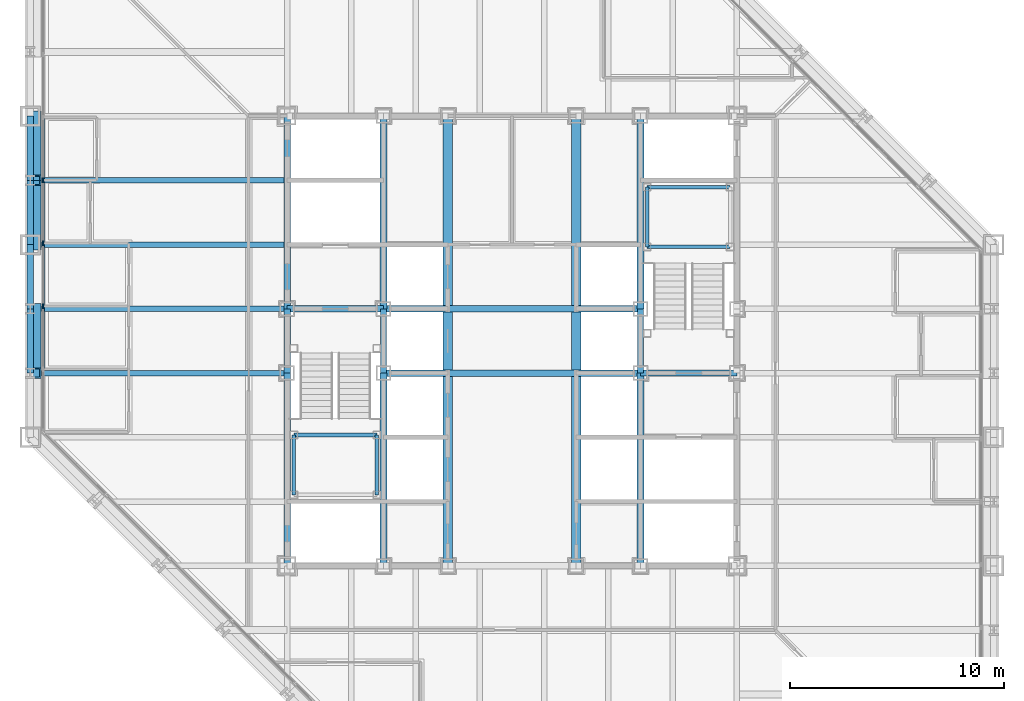
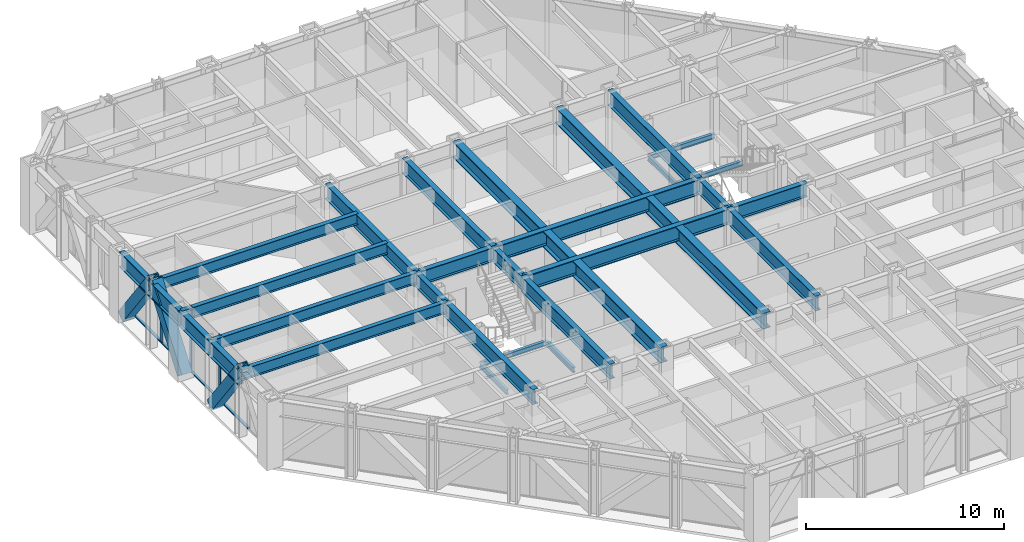
# One storey, part 5 of 17: 33 beams, 10 members, 1 element without a shape of its own.
"""IFC4 building model written with IfcOpenShell, lengths in metres."""

import ifcopenshell
import ifcopenshell.guid

model = None  # the IFC model being written
_history = None  # IfcOwnerHistory: only IFC2X3 demands one
_inside = {}  # id of a spatial element -> (the spatial element, [elements in it])
_under = {}  # id of a project, library or spatial element -> (it, [spatial elements below it])
_declared = {}  # id of a project -> (the project, [libraries it declares])
_typed = {}  # id of a type object -> (the type object, [elements of that type])
_made_of = {}  # id of a material, layer set ... -> (it, [elements and type objects made of it])


def new_model(schema):
    """Start an empty IFC model of exactly this schema.

    Asked for "IFC4X3", IfcOpenShell would pick the latest addendum, in which some entities
    have other attributes; the version numbers below select the first issue.
    IFC2X3 requires an IfcOwnerHistory on every rooted entity: one is made here for all.
    """
    global model, _history
    if schema == "IFC4X3":
        model = ifcopenshell.file(schema_version=(4, 3, 0, 0))
    else:
        model = ifcopenshell.file(schema=schema)
    _inside.clear()
    _under.clear()
    _declared.clear()
    _typed.clear()
    _made_of.clear()
    _history = None
    if model.schema == "IFC2X3":
        org = make("IfcOrganization", Name="unknown")
        user = make(
            "IfcPersonAndOrganization",
            ThePerson=make("IfcPerson", FamilyName="unknown"),
            TheOrganization=org,
        )
        app = make(
            "IfcApplication",
            ApplicationDeveloper=org,
            Version="unknown",
            ApplicationFullName="unknown",
            ApplicationIdentifier="unknown",
        )
        _history = make(
            "IfcOwnerHistory",
            OwningUser=user,
            OwningApplication=app,
            ChangeAction="ADDED",
            CreationDate=0,
        )
    return model


def make(cls, **values):
    """One entity of the class cls with the attributes given. An attribute that is None is left unset."""
    return model.create_entity(
        cls, **{name: value for name, value in values.items() if value is not None}
    )


def rooted(cls, **values):
    """An entity with a GlobalId (a new one), such as an element, a storey or a relation."""
    return make(cls, GlobalId=ifcopenshell.guid.new(), OwnerHistory=_history, **values)


def si_unit(unit_type, name, prefix=None):
    """IfcSIUnit, for example si_unit("LENGTHUNIT", "METRE", prefix="MILLI")."""
    return make("IfcSIUnit", UnitType=unit_type, Prefix=prefix, Name=name)


def assignment(units):
    """IfcUnitAssignment: the units of a project."""
    return None if units is None else make("IfcUnitAssignment", Units=units)


def point(xyz):
    """IfcCartesianPoint."""
    return None if xyz is None else make("IfcCartesianPoint", Coordinates=xyz)


def direction(xyz):
    """IfcDirection."""
    return None if xyz is None else make("IfcDirection", DirectionRatios=xyz)


def frame(location, z_axis=None, x_axis=None):
    """IfcAxis2Placement3D, a coordinate frame: its origin and axes. An axis left out is left unset."""
    return make(
        "IfcAxis2Placement3D",
        Location=point(location),
        Axis=direction(z_axis),
        RefDirection=direction(x_axis),
    )


def frame_2d(location, x_axis=None):
    """IfcAxis2Placement2D, a coordinate frame in the plane: its origin and x axis."""
    return make(
        "IfcAxis2Placement2D", Location=point(location), RefDirection=direction(x_axis)
    )


def origin():
    """The frame at (0, 0, 0) with its axes left unset."""
    return frame((0.0, 0.0, 0.0))


def origin_2d():
    """The frame at (0, 0) in the plane with its x axis left unset."""
    return frame_2d((0.0, 0.0))


def place(relative_to, where):
    """IfcLocalPlacement: puts the frame where relative to a parent placement (None: the world)."""
    return make(
        "IfcLocalPlacement", PlacementRelTo=relative_to, RelativePlacement=where
    )


def context(
    kind, dimensions, precision=None, world=None, true_north=None, identifier=None
):
    """IfcGeometricRepresentationContext, for example the 3D "Model" context."""
    return make(
        "IfcGeometricRepresentationContext",
        ContextIdentifier=identifier,
        ContextType=kind,
        CoordinateSpaceDimension=dimensions,
        Precision=precision,
        WorldCoordinateSystem=world,
        TrueNorth=true_north,
    )


def subcontext(parent, identifier, kind, view, scale=None):
    """IfcGeometricRepresentationSubContext, for example "Body" below "Model"."""
    return make(
        "IfcGeometricRepresentationSubContext",
        ContextIdentifier=identifier,
        ContextType=kind,
        ParentContext=parent,
        TargetScale=scale,
        TargetView=view,
    )


def project(units=None, contexts=None):
    """IfcProject with its units and contexts."""
    return rooted(
        "IfcProject",
        Name="project",
        RepresentationContexts=contexts,
        UnitsInContext=assignment(units),
    )


def spatial(cls, under=None, at=None, **own):
    """A site, building, storey or space (cls), placed at a placement, below another one or the project."""
    s = rooted(cls, ObjectPlacement=at, **own)
    if under is not None:
        _under.setdefault(under.id(), (under, []))[1].append(s)
    return s


def profile(cls, at=None, kind="AREA", **sizes):
    """A parametric profile (cls). Its sizes go by their IFC names, for example OverallWidth=200.0."""
    return make(cls, ProfileType=kind, Position=at, **sizes)


def rectangle(**sizes):
    """IfcRectangleProfileDef."""
    return profile("IfcRectangleProfileDef", **sizes)


def hollow_rectangle(**sizes):
    """IfcRectangleHollowProfileDef."""
    return profile("IfcRectangleHollowProfileDef", **sizes)


def i_section(**sizes):
    """IfcIShapeProfileDef."""
    return profile("IfcIShapeProfileDef", **sizes)


def extrude(swept, where, along, depth):
    """IfcExtrudedAreaSolid: the profile swept, set in the frame where, extruded along a direction by depth."""
    return make(
        "IfcExtrudedAreaSolid",
        SweptArea=swept,
        Position=where,
        ExtrudedDirection=direction(along),
        Depth=depth,
    )


def shape(context_of_items, identifier, shape_type, items):
    """IfcShapeRepresentation: the items that make up one representation, for example the "Body"."""
    return make(
        "IfcShapeRepresentation",
        ContextOfItems=context_of_items,
        RepresentationIdentifier=identifier,
        RepresentationType=shape_type,
        Items=items,
    )


def material(Name=None, Category=None):
    """IfcMaterial."""
    return make("IfcMaterial", Name=Name, Category=Category)


def layer(
    of_material, thickness, ventilated=None, Name=None, Category=None, Priority=None
):
    """IfcMaterialLayer: one layer of a wall or slab, of a material (None: an air gap)."""
    return make(
        "IfcMaterialLayer",
        Material=of_material,
        LayerThickness=thickness,
        IsVentilated=ventilated,
        Name=Name,
        Category=Category,
        Priority=Priority,
    )


def layer_set(layers, Name=None):
    """IfcMaterialLayerSet."""
    return make("IfcMaterialLayerSet", MaterialLayers=layers, LayerSetName=Name)


def material_profile(
    of_material, cross_section, Name=None, Category=None, Priority=None
):
    """IfcMaterialProfile: a cross section and its material."""
    return make(
        "IfcMaterialProfile",
        Name=Name,
        Material=of_material,
        Profile=cross_section,
        Priority=Priority,
        Category=Category,
    )


def profile_set(profiles, Name=None, composite=None):
    """IfcMaterialProfileSet."""
    return make(
        "IfcMaterialProfileSet",
        Name=Name,
        MaterialProfiles=profiles,
        CompositeProfile=composite,
    )


def made_of(thing, what):
    """Note that an element or type object is made of a material, layer set ...; save() writes the relation."""
    if what is not None:
        _made_of.setdefault(what.id(), (what, []))[1].append(thing)
    return thing


def type_object(cls, material=None, **own):
    """A type object (cls), such as IfcWallType, which elements share."""
    return made_of(rooted(cls, **own), material)


def element(
    cls,
    number,
    at=None,
    inside=None,
    cuts=None,
    type_object=None,
    material=None,
    context=None,
    identifier="Body",
    shape_type=None,
    held_by="IfcProductDefinitionShape",
    body=None,
    shapes=None,
    **own,
):
    """One element of the class cls, such as IfcWall. Its Tag is "e" and its number.

    at: its placement. inside: the storey or other place that contains it. cuts: it is an
    opening in that element (IfcRelVoidsElement). A single representation is given by context,
    identifier, shape_type and body (its items); several are given by shapes. held_by: the class
    of the entity that holds the representations. save() writes the other relations.
    """
    e = rooted(cls, Tag="e%d" % number, ObjectPlacement=at, **own)
    if body is not None:
        shapes = [shape(context, identifier, shape_type, body)]
    if shapes is not None:
        e.Representation = make(held_by, Representations=shapes)
    if inside is not None:
        _inside.setdefault(inside.id(), (inside, []))[1].append(e)
    if cuts is not None:
        rooted(
            "IfcRelVoidsElement", RelatingBuildingElement=cuts, RelatedOpeningElement=e
        )
    if type_object is not None:
        _typed.setdefault(type_object.id(), (type_object, []))[1].append(e)
    return made_of(e, material)


def aggregate(whole, parts):
    """IfcRelAggregates: a whole, such as a stair, and the parts it consists of."""
    return rooted("IfcRelAggregates", RelatingObject=whole, RelatedObjects=parts)


def save(model, path):
    """Write the relations noted so far, then the file.

    IfcRelAggregates (storeys below a building ...), IfcRelContainedInSpatialStructure (elements
    in a storey), IfcRelDefinesByType, IfcRelAssociatesMaterial and IfcRelDeclares: one each for
    every whole, place, type object, material and project.
    """
    for whole, parts in _under.values():
        aggregate(whole, parts)
    for where, things in _inside.values():
        rooted(
            "IfcRelContainedInSpatialStructure",
            RelatedElements=things,
            RelatingStructure=where,
        )
    for kind, things in _typed.values():
        rooted("IfcRelDefinesByType", RelatedObjects=things, RelatingType=kind)
    for what, things in _made_of.values():
        rooted("IfcRelAssociatesMaterial", RelatedObjects=things, RelatingMaterial=what)
    for by, libraries in _declared.values():
        rooted("IfcRelDeclares", RelatingContext=by, RelatedDefinitions=libraries)
    model.write(path)


model = new_model("IFC4")

# Units and contexts
model_context = context("Model", 3, precision=1e-05, world=origin(), true_north=direction((0.0, 1.0)))
body_context = subcontext(model_context, "Body", "Model", "MODEL_VIEW")
ifc_project = project(units=[si_unit("LENGTHUNIT", "METRE"), si_unit("AREAUNIT", "SQUARE_METRE"), si_unit("VOLUMEUNIT", "CUBIC_METRE"), si_unit("PLANEANGLEUNIT", "RADIAN"), si_unit("MASSUNIT", "GRAM", prefix="KILO")], contexts=[model_context])

# Site, building, storey
site_placement = place(None, origin())
site = spatial("IfcSite", under=ifc_project, at=site_placement, CompositionType="ELEMENT")
building_placement = place(site_placement, origin())
building = spatial("IfcBuilding", under=site, at=building_placement, Name="Chuquiago Exchange Tower", CompositionType="ELEMENT")
storey_placement = place(building_placement, frame((0.0, 0.0, 132.0)))
storey = spatial("IfcBuildingStorey", under=building, at=storey_placement, Name="L28", CompositionType="ELEMENT", Elevation=132.0)

# Beams
ifc_material_1 = material(Name="Steel ASTM A992", Category="steel")
ifc_material_profile_1 = material_profile(ifc_material_1, i_section(OverallWidth=0.25390625, OverallDepth=0.683349609375, WebThickness=0.012451171875, FlangeThickness=0.018798828125, at=origin_2d()), Name="W27X94")
ifc_profile_set_1 = profile_set([ifc_material_profile_1], Name="Steel ASTM A992")
beam_type_1 = type_object("IfcBeamType", Name="B1 W27X94", PredefinedType="BEAM", material=ifc_profile_set_1)
for number, where, z_axis, x_axis, name in (
    (1, (12.0, 21.0, 3.698486328125), (-1.0, 0.0, 0.0), (0.0, -1.0, 0.0), "FB-L29-infill-12_21--0_21-0"),
    (2, (12.0, 24.0, 3.698486328125), (-1.0, 0.0, 0.0), (0.0, -1.0, 0.0), "FB-L29-infill-12_24--0_24-0"),
    (3, (12.0, 27.0, 3.698486328125), (-1.0, 0.0, 0.0), (0.0, -1.0, 0.0), "FB-L29-infill-12_27--0_27-0"),
    (4, (12.0, 30.0, 3.698486328125), (-1.0, 0.0, 0.0), (0.0, -1.0, 0.0), "FB-L29-infill-12_30--0_30-0"),
):
    element("IfcBeam", number, at=place(storey_placement, frame(where, z_axis=z_axis, x_axis=x_axis)), inside=storey, type_object=beam_type_1, Name=name, PredefinedType="BEAM", context=body_context, shape_type="SweptSolid", body=[
        extrude(i_section(OverallWidth=0.25390625, OverallDepth=0.683349609375, WebThickness=0.012451171875, FlangeThickness=0.018798828125, at=origin_2d()), origin(), (0.0, 0.0, 1.0), 12.0),
    ])
ifc_material_2 = material(Name="Steel ASTM A992", Category="steel")
ifc_material_profile_2 = material_profile(ifc_material_2, i_section(OverallWidth=0.307373046875, OverallDepth=0.927001953125, WebThickness=0.01953125, FlangeThickness=0.031982421875, at=origin_2d()), Name="W36X194")
ifc_profile_set_2 = profile_set([ifc_material_profile_2], Name="Steel ASTM A992")
beam_type_2 = type_object("IfcBeamType", Name="B10 W36X194", PredefinedType="BEAM", material=ifc_profile_set_2)
for number, where, z_axis, x_axis, name in (
    (5, (12.0, 12.0, 3.576416015625), (0.0, 1.0, 0.0), (-1.0, 0.0, 0.0), "CB-L29-12_12-12_21"),
    (6, (12.0, 24.0, 3.576416015625), (0.0, 1.0, 0.0), (-1.0, 0.0, 0.0), "CB-L29-12_24-12_33"),
    (7, (16.5, 12.0, 3.576416015625), (0.0, 1.0, 0.0), (-1.0, 0.0, 0.0), "CB-L29-16.5_12-16.5_21"),
    (8, (16.5, 24.0, 3.576416015625), (0.0, 1.0, 0.0), (-1.0, 0.0, 0.0), "CB-L29-16.5_24-16.5_33"),
    (9, (28.5, 12.0, 3.576416015625), (0.0, 1.0, 0.0), (-1.0, 0.0, 0.0), "CB-L29-28.5_12-28.5_21"),
    (10, (28.5, 24.0, 3.576416015625), (0.0, 1.0, 0.0), (-1.0, 0.0, 0.0), "CB-L29-28.5_24-28.5_33"),
):
    element("IfcBeam", number, at=place(storey_placement, frame(where, z_axis=z_axis, x_axis=x_axis)), inside=storey, type_object=beam_type_2, Name=name, PredefinedType="BEAM", context=body_context, shape_type="SweptSolid", body=[
        extrude(i_section(OverallWidth=0.307373046875, OverallDepth=0.927001953125, WebThickness=0.01953125, FlangeThickness=0.031982421875, at=origin_2d()), origin(), (0.0, 0.0, 1.0), 9.0),
    ])
ifc_material_3 = material(Name="Steel ASTM A992", Category="steel")
ifc_material_profile_3 = material_profile(ifc_material_3, i_section(OverallWidth=0.309814453125, OverallDepth=0.949951171875, WebThickness=0.0244140625, FlangeThickness=0.0439453125, at=origin_2d()), Name="W36X256")
ifc_profile_set_3 = profile_set([ifc_material_profile_3], Name="Steel ASTM A992")
beam_type_3 = type_object("IfcBeamType", Name="B11 W36X256", PredefinedType="BEAM", material=ifc_profile_set_3)
for number, where, z_axis, x_axis, name in (
    (11, (16.5, 21.0, 3.56494140625), (1.0, 0.0, 0.0), (0.0, 1.0, 0.0), "CB-L29-16.5_21-28.5_21"),
    (12, (16.5, 24.0, 3.56494140625), (1.0, 0.0, 0.0), (0.0, 1.0, 0.0), "CB-L29-16.5_24-28.5_24"),
):
    element("IfcBeam", number, at=place(storey_placement, frame(where, z_axis=z_axis, x_axis=x_axis)), inside=storey, type_object=beam_type_3, Name=name, PredefinedType="BEAM", context=body_context, shape_type="SweptSolid", body=[
        extrude(i_section(OverallWidth=0.309814453125, OverallDepth=0.949951171875, WebThickness=0.0244140625, FlangeThickness=0.0439453125, at=origin_2d()), origin(), (0.0, 0.0, 1.0), 12.0),
    ])
ifc_material_4 = material(Name="Steel ASTM A992", Category="steel")
ifc_material_profile_4 = material_profile(ifc_material_4, i_section(OverallWidth=0.4267578125, OverallDepth=0.975341796875, WebThickness=0.031005859375, FlangeThickness=0.055908203125, at=origin_2d()), Name="W36X395")
ifc_profile_set_4 = profile_set([ifc_material_profile_4], Name="Steel ASTM A992")
beam_type_4 = type_object("IfcBeamType", Name="B12 W36X395", PredefinedType="BEAM", material=ifc_profile_set_4)
beam_1_placement = place(storey_placement, frame((19.5, 12.0, 3.55224609375), z_axis=(0.0, 1.0, 0.0), x_axis=(-1.0, 0.0, 0.0)))
element("IfcBeam", 13, at=beam_1_placement, inside=storey, type_object=beam_type_4, Name="CB-L29-19.5_12-19.5_20.8451", PredefinedType="BEAM", context=body_context, shape_type="SweptSolid", body=[
    extrude(i_section(OverallWidth=0.4267578125, OverallDepth=0.975341796875, WebThickness=0.031005859375, FlangeThickness=0.055908203125, at=origin_2d()), origin(), (0.0, 0.0, 1.0), 8.84521484375),
])
beam_2_placement = place(storey_placement, frame((19.5, 21.15478515625, 3.55224609375), z_axis=(0.0, 1.0, 0.0), x_axis=(-1.0, 0.0, 0.0)))
element("IfcBeam", 14, at=beam_2_placement, inside=storey, type_object=beam_type_4, Name="CB-L29-19.5_21.1549-19.5_23.8451", PredefinedType="BEAM", context=body_context, shape_type="SweptSolid", body=[
    extrude(i_section(OverallWidth=0.4267578125, OverallDepth=0.975341796875, WebThickness=0.031005859375, FlangeThickness=0.055908203125, at=origin_2d()), origin(), (0.0, 0.0, 1.0), 2.6904296875),
])
for number, where, z_axis, x_axis, name in (
    (15, (19.5, 24.15478515625, 3.55224609375), (0.0, 1.0, 0.0), (-1.0, 0.0, 0.0), "CB-L29-19.5_24.1549-19.5_33"),
    (16, (25.5, 12.0, 3.55224609375), (0.0, 1.0, 0.0), (-1.0, 0.0, 0.0), "CB-L29-25.5_12-25.5_20.8451"),
):
    element("IfcBeam", number, at=place(storey_placement, frame(where, z_axis=z_axis, x_axis=x_axis)), inside=storey, type_object=beam_type_4, Name=name, PredefinedType="BEAM", context=body_context, shape_type="SweptSolid", body=[
        extrude(i_section(OverallWidth=0.4267578125, OverallDepth=0.975341796875, WebThickness=0.031005859375, FlangeThickness=0.055908203125, at=origin_2d()), origin(), (0.0, 0.0, 1.0), 8.84521484375),
    ])
beam_3_placement = place(storey_placement, frame((25.5, 21.15478515625, 3.55224609375), z_axis=(0.0, 1.0, 0.0), x_axis=(-1.0, 0.0, 0.0)))
element("IfcBeam", 17, at=beam_3_placement, inside=storey, type_object=beam_type_4, Name="CB-L29-25.5_21.1549-25.5_23.8451", PredefinedType="BEAM", context=body_context, shape_type="SweptSolid", body=[
    extrude(i_section(OverallWidth=0.4267578125, OverallDepth=0.975341796875, WebThickness=0.031005859375, FlangeThickness=0.055908203125, at=origin_2d()), origin(), (0.0, 0.0, 1.0), 2.6904296875),
])
beam_4_placement = place(storey_placement, frame((25.5, 24.15478515625, 3.55224609375), z_axis=(0.0, 1.0, 0.0), x_axis=(-1.0, 0.0, 0.0)))
element("IfcBeam", 18, at=beam_4_placement, inside=storey, type_object=beam_type_4, Name="CB-L29-25.5_24.1549-25.5_33", PredefinedType="BEAM", context=body_context, shape_type="SweptSolid", body=[
    extrude(i_section(OverallWidth=0.4267578125, OverallDepth=0.975341796875, WebThickness=0.031005859375, FlangeThickness=0.055908203125, at=origin_2d()), origin(), (0.0, 0.0, 1.0), 8.84521484375),
])
ifc_material_5 = material(Name="Steel ASTM A992", Category="steel")
ifc_material_profile_5 = material_profile(ifc_material_5, i_section(OverallWidth=0.2919921875, OverallDepth=0.8583984375, WebThickness=0.01708984375, FlangeThickness=0.031005859375, at=origin_2d()), Name="W33X169")
ifc_profile_set_5 = profile_set([ifc_material_profile_5], Name="Steel ASTM A992")
beam_type_5 = type_object("IfcBeamType", Name="B3 W33X169", PredefinedType="BEAM", material=ifc_profile_set_5)
for number, where, z_axis, x_axis, name in (
    (19, (12.0, 21.0, 3.610595703125), (0.0, 1.0, 0.0), (-1.0, 0.0, 0.0), "CB-L29-12_21-12_24"),
    (20, (16.5, 21.0, 3.610595703125), (0.0, 1.0, 0.0), (-1.0, 0.0, 0.0), "CB-L29-16.5_21-16.5_24"),
    (21, (28.5, 21.0, 3.610595703125), (0.0, 1.0, 0.0), (-1.0, 0.0, 0.0), "CB-L29-28.5_21-28.5_24"),
):
    element("IfcBeam", number, at=place(storey_placement, frame(where, z_axis=z_axis, x_axis=x_axis)), inside=storey, type_object=beam_type_5, Name=name, PredefinedType="BEAM", context=body_context, shape_type="SweptSolid", body=[
        extrude(i_section(OverallWidth=0.2919921875, OverallDepth=0.8583984375, WebThickness=0.01708984375, FlangeThickness=0.031005859375, at=origin_2d()), origin(), (0.0, 0.0, 1.0), 3.0),
    ])
for number, where, z_axis, x_axis, name in (
    (22, (28.5, 21.0, 3.610595703125), (1.0, 0.0, 0.0), (0.0, 1.0, 0.0), "CB-L29-28.5_21-33_21"),
    (23, (12.0, 24.0, 3.610595703125), (1.0, 0.0, 0.0), (0.0, 1.0, 0.0), "CB-L29-12_24-16.5_24"),
):
    element("IfcBeam", number, at=place(storey_placement, frame(where, z_axis=z_axis, x_axis=x_axis)), inside=storey, type_object=beam_type_5, Name=name, PredefinedType="BEAM", context=body_context, shape_type="SweptSolid", body=[
        extrude(i_section(OverallWidth=0.2919921875, OverallDepth=0.8583984375, WebThickness=0.01708984375, FlangeThickness=0.031005859375, at=origin_2d()), origin(), (0.0, 0.0, 1.0), 4.5),
    ])

# Curtain wall, members
ifc_material_6 = material(Name="Aluminium curtain wall system", Category="aluminium")
ifc_layer = layer(ifc_material_6, 0.22509765625)
ifc_layer_set = layer_set([ifc_layer], Name="CW2 office curtain wall")
curtain_wall_type = type_object("IfcCurtainWallType", Name="CW2 office curtain wall", PredefinedType="NOTDEFINED", material=ifc_layer_set)
curtain_wall_placement = place(storey_placement, origin())
curtain_wall = element("IfcCurtainWall", 24, at=curtain_wall_placement, inside=storey, type_object=curtain_wall_type, Name="CW2 curtain wall L28", PredefinedType="NOTDEFINED")
ifc_material_7 = material(Name="Aluminium mullion, pale anodised", Category="aluminium")
ifc_material_profile_6 = material_profile(ifc_material_7, rectangle(XDim=0.06494140625, YDim=0.22509765625, at=origin_2d()), Name="AL 65x225")
ifc_profile_set_6 = profile_set([ifc_material_profile_6], Name="Aluminium mullion, pale anodised")
member_type_1 = type_object("IfcMemberType", Name="CW2-M mullion 65x225", PredefinedType="MULLION", material=ifc_profile_set_6)
member_1_placement = place(storey_placement, frame((0.60009765625, 30.0, 0.0), z_axis=(0.0, 0.0, 1.0), x_axis=(1.0, 0.0, 0.0)))
member_1 = element("IfcMember", 25, at=member_1_placement, type_object=member_type_1, Name="CW2 mullion 5", PredefinedType="MULLION", context=body_context, shape_type="SweptSolid", body=[
    extrude(rectangle(XDim=0.06494140625, YDim=0.22509765625, at=origin_2d()), origin(), (0.0, 0.0, 1.0), 4.0400390625),
])
member_2_placement = place(storey_placement, frame((0.60009765625, 27.06201171875, 0.0), z_axis=(0.0, 0.0, 1.0), x_axis=(1.0, 0.0, 0.0)))
member_2 = element("IfcMember", 26, at=member_2_placement, type_object=member_type_1, Name="CW2 mullion 6", PredefinedType="MULLION", context=body_context, shape_type="SweptSolid", body=[
    extrude(rectangle(XDim=0.06494140625, YDim=0.22509765625, at=origin_2d()), origin(), (0.0, 0.0, 1.0), 4.0400390625),
])
member_3_placement = place(storey_placement, frame((0.60009765625, 24.124267578125, 0.0), z_axis=(0.0, 0.0, 1.0), x_axis=(1.0, 0.0, 0.0)))
member_3 = element("IfcMember", 27, at=member_3_placement, type_object=member_type_1, Name="CW2 mullion 7", PredefinedType="MULLION", context=body_context, shape_type="SweptSolid", body=[
    extrude(rectangle(XDim=0.06494140625, YDim=0.22509765625, at=origin_2d()), origin(), (0.0, 0.0, 1.0), 4.0400390625),
])
ifc_material_8 = material(Name="Aluminium transom, pale anodised", Category="aluminium")
ifc_material_profile_7 = material_profile(ifc_material_8, rectangle(XDim=0.139892578125, YDim=0.06494140625, at=origin_2d()), Name="AL 140x65")
ifc_profile_set_7 = profile_set([ifc_material_profile_7], Name="Aluminium transom, pale anodised")
member_type_2 = type_object("IfcMemberType", Name="CW2-T transom 65x140", PredefinedType="MULLION", material=ifc_profile_set_7)
member_4_placement = place(storey_placement, frame((0.60009765625, 32.9052734375, 0.032470703125), z_axis=(0.0, -1.0, 0.0), x_axis=(1.0, 0.0, 0.0)))
member_4 = element("IfcMember", 28, at=member_4_placement, type_object=member_type_2, Name="CW2 transom 4.1", PredefinedType="MULLION", context=body_context, shape_type="SweptSolid", body=[
    extrude(rectangle(XDim=0.139892578125, YDim=0.06494140625, at=origin_2d()), origin(), (0.0, 0.0, 1.0), 2.872802734375),
])
member_5_placement = place(storey_placement, frame((0.60009765625, 29.967529296875, 0.032470703125), z_axis=(0.0, -1.0, 0.0), x_axis=(1.0, 0.0, 0.0)))
member_5 = element("IfcMember", 29, at=member_5_placement, type_object=member_type_2, Name="CW2 transom 5.1", PredefinedType="MULLION", context=body_context, shape_type="SweptSolid", body=[
    extrude(rectangle(XDim=0.139892578125, YDim=0.06494140625, at=origin_2d()), origin(), (0.0, 0.0, 1.0), 2.872802734375),
])
member_6_placement = place(storey_placement, frame((0.60009765625, 27.029541015625, 0.032470703125), z_axis=(0.0, -1.0, 0.0), x_axis=(1.0, 0.0, 0.0)))
member_6 = element("IfcMember", 30, at=member_6_placement, type_object=member_type_2, Name="CW2 transom 6.1", PredefinedType="MULLION", context=body_context, shape_type="SweptSolid", body=[
    extrude(rectangle(XDim=0.139892578125, YDim=0.06494140625, at=origin_2d()), origin(), (0.0, 0.0, 1.0), 2.872802734375),
])
member_7_placement = place(storey_placement, frame((0.60009765625, 24.091796875, 0.032470703125), z_axis=(0.0, -1.0, 0.0), x_axis=(1.0, 0.0, 0.0)))
member_7 = element("IfcMember", 31, at=member_7_placement, type_object=member_type_2, Name="CW2 transom 7.1", PredefinedType="MULLION", context=body_context, shape_type="SweptSolid", body=[
    extrude(rectangle(XDim=0.139892578125, YDim=0.06494140625, at=origin_2d()), origin(), (0.0, 0.0, 1.0), 2.872802734375),
])
aggregate(curtain_wall, [member_1, member_2, member_3, member_4, member_5, member_6, member_7])

# Beams
ifc_material_9 = material(Name="Steel ASTM A992", Category="steel")
ifc_material_profile_8 = material_profile(ifc_material_9, i_section(OverallWidth=0.164794921875, OverallDepth=0.309814453125, WebThickness=0.005859375, FlangeThickness=0.009765625, at=origin_2d()), Name="W12X26")
ifc_profile_set_8 = profile_set([ifc_material_profile_8], Name="Steel ASTM A992")
beam_type_6 = type_object("IfcBeamType", Name="LS1 W12X26", PredefinedType="BEAM", material=ifc_profile_set_8)
for number, where, z_axis, x_axis, name in (
    (32, (12.31005859375, 15.31005859375, 1.7451171875), (0.0, 1.0, 0.0), (-1.0, 0.0, 0.0), "Stair ST1 L28 landing 1 stringer"),
    (33, (16.18994140625, 15.31005859375, 1.7451171875), (0.0, 1.0, 0.0), (-1.0, 0.0, 0.0), "Stair ST1 L28 landing 1 stringer"),
    (34, (28.81005859375, 26.889892578125, 1.7451171875), (0.0, 1.0, 0.0), (-1.0, 0.0, 0.0), "Stair ST2 L28 landing 1 stringer"),
):
    element("IfcBeam", number, at=place(storey_placement, frame(where, z_axis=z_axis, x_axis=x_axis)), inside=storey, type_object=beam_type_6, Name=name, PredefinedType="BEAM", context=body_context, shape_type="SweptSolid", body=[
        extrude(i_section(OverallWidth=0.164794921875, OverallDepth=0.309814453125, WebThickness=0.005859375, FlangeThickness=0.009765625, at=origin_2d()), origin(), (0.0, 0.0, 1.0), 2.800048828125),
    ])
ifc_material_10 = material(Name="Steel ASTM A992", Category="steel")
ifc_material_profile_9 = material_profile(ifc_material_10, i_section(OverallWidth=0.164794921875, OverallDepth=0.309814453125, WebThickness=0.005859375, FlangeThickness=0.009765625, at=origin_2d()), Name="W12X26")
ifc_profile_set_9 = profile_set([ifc_material_profile_9], Name="Steel ASTM A992")
beam_type_7 = type_object("IfcBeamType", Name="LT1 W12X26", PredefinedType="BEAM", material=ifc_profile_set_9)
for number, where, z_axis, x_axis, name in (
    (35, (12.31005859375, 18.110107421875, 1.7451171875), (1.0, 0.0, 0.0), (0.0, 1.0, 0.0), "Stair ST1 L28 landing 1 trimmer"),
    (36, (28.81005859375, 29.68994140625, 1.7451171875), (1.0, 0.0, 0.0), (0.0, 1.0, 0.0), "Stair ST2 L28 landing 1 trimmer"),
    (37, (28.81005859375, 26.889892578125, 1.7451171875), (1.0, 0.0, 0.0), (0.0, 1.0, 0.0), "Stair ST2 L28 landing 1 trimmer"),
):
    element("IfcBeam", number, at=place(storey_placement, frame(where, z_axis=z_axis, x_axis=x_axis)), inside=storey, type_object=beam_type_7, Name=name, PredefinedType="BEAM", context=body_context, shape_type="SweptSolid", body=[
        extrude(i_section(OverallWidth=0.164794921875, OverallDepth=0.309814453125, WebThickness=0.005859375, FlangeThickness=0.009765625, at=origin_2d()), origin(), (0.0, 0.0, 1.0), 3.8798828125),
    ])

# Members
ifc_material_11 = material(Name="Steel ASTM A572 Grade 50", Category="steel")
ifc_material_profile_10 = material_profile(ifc_material_11, hollow_rectangle(XDim=0.60009765625, YDim=0.60009765625, WallThickness=0.06005859375, at=origin_2d()), Name="BOX600X600X60")
ifc_profile_set_10 = profile_set([ifc_material_profile_10], Name="Steel ASTM A572 Grade 50")
member_type_3 = type_object("IfcMemberType", Name="MB2 BOX600X600X60", PredefinedType="BRACE", material=ifc_profile_set_10)
for number, where, z_axis, x_axis, name in (
    (38, (0.205078125, 33.0, 0.0), (0.0, -0.596173923302, 0.802855312728), (1.0, 0.0, 0.0), "Mega diagonal L28 W face"),
    (39, (0.205078125, 27.0, 0.0), (0.0, 0.596173923302, 0.802855312728), (-1.0, 0.0, 0.0), "Mega diagonal L28 W face"),
    (40, (0.205078125, 24.0, 0.0), (0.0, -0.596173923302, 0.802855312728), (1.0, 0.0, 0.0), "Mega diagonal L28 W face"),
):
    element("IfcMember", number, at=place(storey_placement, frame(where, z_axis=z_axis, x_axis=x_axis)), inside=storey, type_object=member_type_3, Name=name, PredefinedType="BRACE", context=body_context, shape_type="SweptSolid", body=[
        extrude(hollow_rectangle(XDim=0.60009765625, YDim=0.60009765625, WallThickness=0.06005859375, at=origin_2d()), origin(), (0.0, 0.0, 1.0), 5.031982421875),
    ])

# Beams
ifc_material_12 = material(Name="Steel ASTM A992", Category="steel")
ifc_material_profile_11 = material_profile(ifc_material_12, i_section(OverallWidth=0.309814453125, OverallDepth=0.949951171875, WebThickness=0.0244140625, FlangeThickness=0.0439453125, at=origin_2d()), Name="W36X256")
ifc_profile_set_11 = profile_set([ifc_material_profile_11], Name="Steel ASTM A992")
beam_type_8 = type_object("IfcBeamType", Name="SP2 W36X256", PredefinedType="SPANDREL", material=ifc_profile_set_11)
for number, where, z_axis, x_axis, name in (
    (41, (0.0, 33.0, 3.56494140625), (0.0, -1.0, 0.0), (1.0, 0.0, 0.0), "SPB-L29-0_33-0_30"),
    (42, (0.0, 30.0, 3.56494140625), (0.0, -1.0, 0.0), (1.0, 0.0, 0.0), "SPB-L29-0_30-0_27"),
    (43, (0.0, 27.0, 3.56494140625), (0.0, -1.0, 0.0), (1.0, 0.0, 0.0), "SPB-L29-0_27-0_24"),
    (44, (0.0, 24.0, 3.56494140625), (0.0, -1.0, 0.0), (1.0, 0.0, 0.0), "SPB-L29-0_24-0_21"),
):
    element("IfcBeam", number, at=place(storey_placement, frame(where, z_axis=z_axis, x_axis=x_axis)), inside=storey, type_object=beam_type_8, Name=name, PredefinedType="SPANDREL", context=body_context, shape_type="SweptSolid", body=[
        extrude(i_section(OverallWidth=0.309814453125, OverallDepth=0.949951171875, WebThickness=0.0244140625, FlangeThickness=0.0439453125, at=origin_2d()), origin(), (0.0, 0.0, 1.0), 3.0),
    ])

save(model, "model.ifc")
